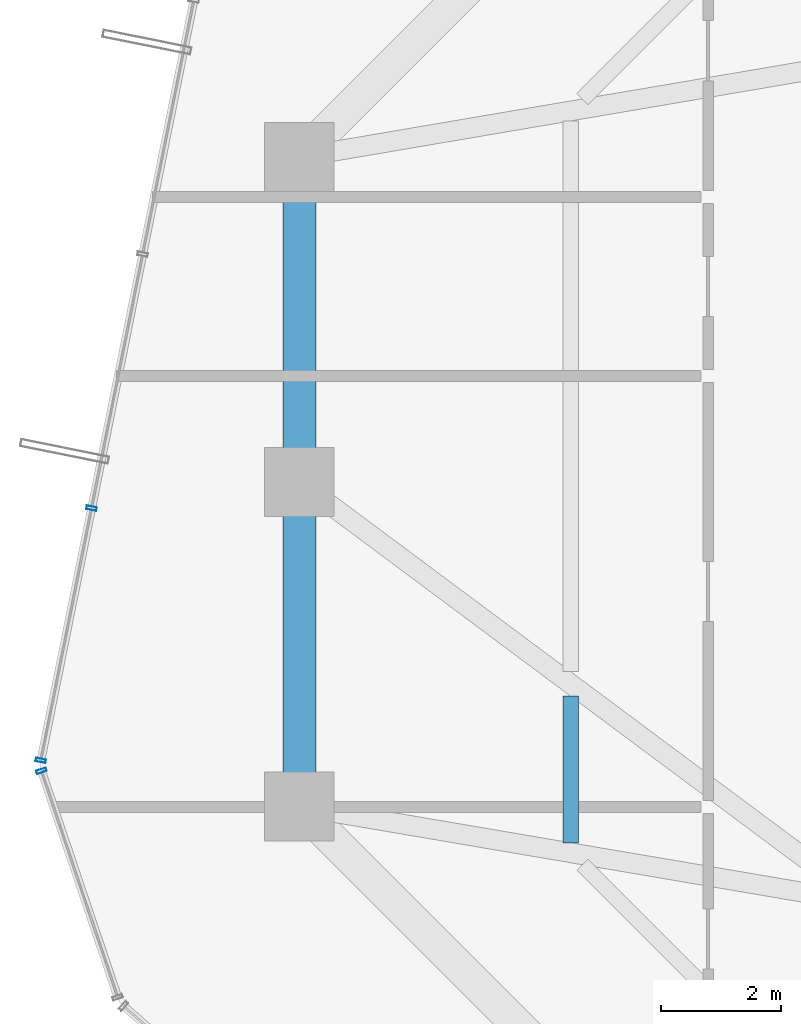
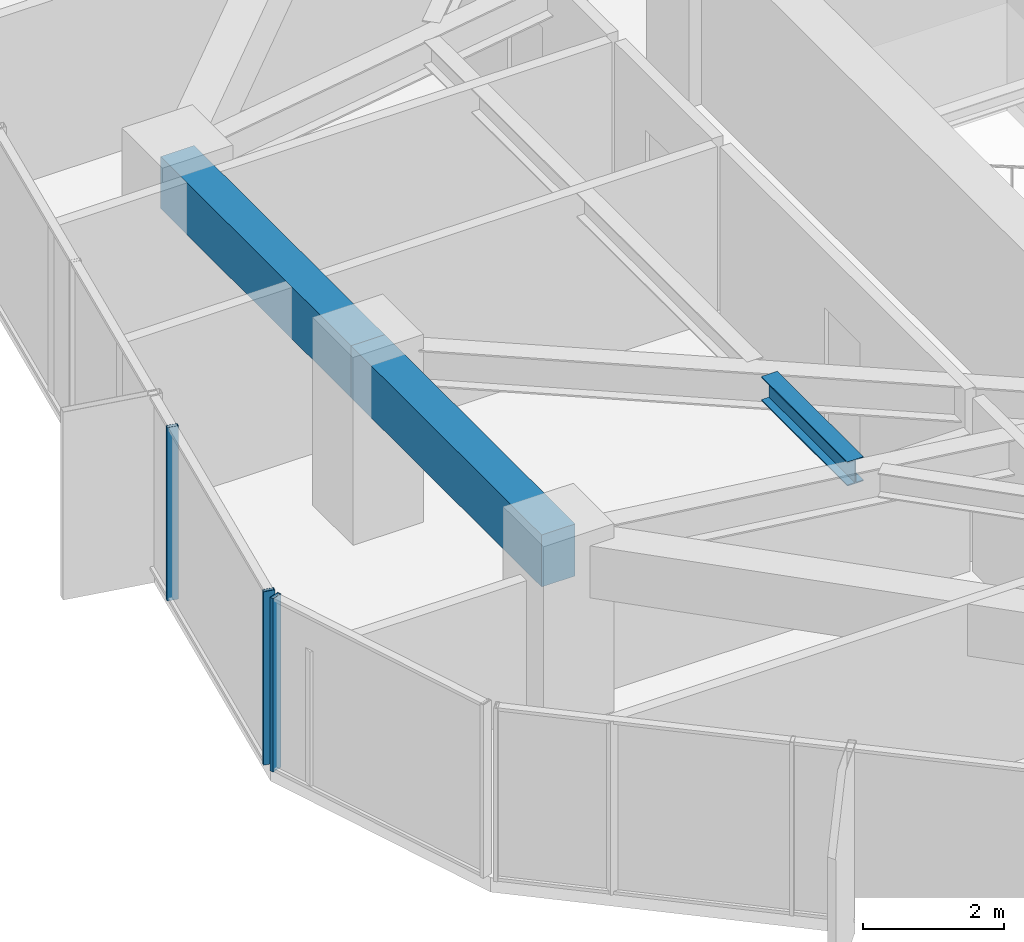
# One storey, part 11 of 32: 3 beams, 3 members, 2 elements without a shape of their own.
"""IFC4 building model written with IfcOpenShell, lengths in metres."""

from ifc_helpers import new_model, si_unit, direction, frame, origin, origin_2d, place, context, subcontext, project, spatial, rectangle, hollow_rectangle, i_section, extrude, source, transform, mapped, material, layer, layer_set, material_profile, profile_set, type_object, element, aggregate, save


model = new_model("IFC4")

# Units and contexts
model_context = context("Model", 3, precision=1e-05, world=origin(), true_north=direction((0.0, 1.0)))
body_context = subcontext(model_context, "Body", "Model", "MODEL_VIEW")
ifc_project = project(units=[si_unit("LENGTHUNIT", "METRE"), si_unit("AREAUNIT", "SQUARE_METRE"), si_unit("VOLUMEUNIT", "CUBIC_METRE"), si_unit("PLANEANGLEUNIT", "RADIAN"), si_unit("MASSUNIT", "GRAM", prefix="KILO")], contexts=[model_context])

# Site, building, storey
site_placement = place(None, origin())
site = spatial("IfcSite", under=ifc_project, at=site_placement, CompositionType="ELEMENT")
building_placement = place(site_placement, origin())
building = spatial("IfcBuilding", under=site, at=building_placement, Name="Veraguas Prism Commons", CompositionType="ELEMENT")
storey_placement = place(building_placement, frame((0.0, 0.0, 89.449951171875)))
storey = spatial("IfcBuildingStorey", under=building, at=storey_placement, Name="L24", CompositionType="ELEMENT", Elevation=89.449951171875)

# Beams
ifc_material_1 = material(Name="Steel ASTM A992 Grade 50", Category="steel")
ifc_material_profile_1 = material_profile(ifc_material_1, i_section(OverallWidth=0.260986328125, OverallDepth=0.419921875, WebThickness=0.01171875, FlangeThickness=0.019287109375, at=origin_2d()), Name="W410X114")
ifc_profile_set_1 = profile_set([ifc_material_profile_1], Name="Steel ASTM A992 Grade 50")
beam_type_1 = type_object("IfcBeamType", Name="Lower Floor Joist W410x114", PredefinedType="JOIST", material=ifc_profile_set_1)
beam_placement = place(storey_placement, frame((12.31201171875, 20.43798828125, 2.7900390625), z_axis=(0.0, -1.0, 0.0), x_axis=(1.0, 0.0, 0.0)))
element("IfcBeam", 1, at=beam_placement, inside=storey, type_object=beam_type_1, Name="Composite Floor Joist L24-JS08", PredefinedType="JOIST", context=body_context, shape_type="SweptSolid", body=[
    extrude(i_section(OverallWidth=0.260986328125, OverallDepth=0.419921875, WebThickness=0.01171875, FlangeThickness=0.019287109375, at=origin_2d()), origin(), (0.0, 0.0, 1.0), 2.441650390625),
])
ifc_material_2 = material(Name="Concrete C50/60", Category="concrete")
ifc_material_profile_2 = material_profile(ifc_material_2, rectangle(XDim=0.550048828125, YDim=0.89990234375, at=origin_2d()), Name="RC550X900")
ifc_profile_set_2 = profile_set([ifc_material_profile_2], Name="Concrete C50/60")
beam_type_2 = type_object("IfcBeamType", Name="Perimeter Spandrel Lower RC 550x900", PredefinedType="SPANDREL", material=ifc_profile_set_2)
for number, where, z_axis, x_axis, name in (
    (2, (7.800048828125, 29.39990234375, 2.550048828125), (0.0, -1.0, 0.0), (1.0, 0.0, 0.0), "Perimeter Spandrel Beam L24-SP07"),
    (3, (7.800048828125, 24.0, 2.550048828125), (0.0, -1.0, 0.0), (1.0, 0.0, 0.0), "Perimeter Spandrel Beam L24-SP08"),
):
    element("IfcBeam", number, at=place(storey_placement, frame(where, z_axis=z_axis, x_axis=x_axis)), inside=storey, type_object=beam_type_2, Name=name, PredefinedType="SPANDREL", context=body_context, shape_type="SweptSolid", body=[
        extrude(rectangle(XDim=0.550048828125, YDim=0.89990234375, at=origin_2d()), origin(), (0.0, 0.0, 1.0), 5.39990234375),
    ])

# Curtain wall, members
ifc_material_3 = material(Name="Anodised aluminium EN AW-6063 T6", Category="aluminium")
ifc_layer = layer(ifc_material_3, 0.169921875, Name="Unitised Flush Curtain Wall Zone 2", Category="aluminium")
ifc_layer_set = layer_set([ifc_layer], Name="Anodised aluminium EN AW-6063 T6")
curtain_wall_type = type_object("IfcCurtainWallType", Name="Unitised Flush Curtain Wall Zone 2", PredefinedType="NOTDEFINED", material=ifc_layer_set)
curtain_wall_1_placement = place(storey_placement, origin())
curtain_wall_1 = element("IfcCurtainWall", 4, at=curtain_wall_1_placement, inside=storey, type_object=curtain_wall_type, Name="Tower Facade Curtain Wall L24-F3", PredefinedType="NOTDEFINED")
ifc_material_profile_3 = material_profile(ifc_material_3, hollow_rectangle(XDim=0.06005859375, YDim=0.169921875, WallThickness=0.00390625, at=origin_2d()), Name="AL60X170X4")
ifc_profile_set_3 = profile_set([ifc_material_profile_3], Name="Anodised aluminium EN AW-6063 T6")
member_type = type_object("IfcMemberType", Name="Curtain Wall Mullion Lower AL 60x170x4", PredefinedType="MULLION", material=ifc_profile_set_3)
shared_shape = source(origin(), body_context, "Body", "SweptSolid", [
    extrude(hollow_rectangle(XDim=0.06005859375, YDim=0.169921875, WallThickness=0.00390625, at=origin_2d()), origin(), (0.0, 0.0, 1.0), 3.0),
])
member_1_placement = place(storey_placement, frame((4.344482421875, 23.56103515625, 0.0), z_axis=(0.0, 0.0, 1.0), x_axis=(-0.197320282199, -0.980339077173, 0.0)))
member_1 = element("IfcMember", 5, at=member_1_placement, type_object=member_type, Name="CW-Z2 Mullion 4", PredefinedType="MULLION", context=body_context, shape_type="MappedRepresentation", body=[
    mapped(shared_shape, transform((0.0, 0.0, 0.0), scale=1.0)),
])
member_2_placement = place(storey_placement, frame((3.500244140625, 19.36669921875, 0.0), z_axis=(0.0, 0.0, 1.0), x_axis=(-0.197320282199, -0.980339077173, 0.0)))
member_2 = element("IfcMember", 6, at=member_2_placement, type_object=member_type, Name="CW-Z2 Mullion 5", PredefinedType="MULLION", context=body_context, shape_type="MappedRepresentation", body=[
    mapped(shared_shape, transform((0.0, 0.0, 0.0), scale=1.0)),
])
aggregate(curtain_wall_1, [member_1, member_2])

# Curtain wall, member
curtain_wall_2_placement = place(storey_placement, origin())
curtain_wall_2 = element("IfcCurtainWall", 7, at=curtain_wall_2_placement, inside=storey, type_object=curtain_wall_type, Name="Chamfer Curtain Wall L24-C4", PredefinedType="NOTDEFINED")
member_3_placement = place(storey_placement, frame((3.51123046875, 19.193115234375, 0.0), z_axis=(0.0, 0.0, 1.0), x_axis=(0.319290123445, -0.947657014468, 0.0)))
member_3 = element("IfcMember", 8, at=member_3_placement, type_object=member_type, Name="CW-Z2 Mullion 1", PredefinedType="MULLION", context=body_context, shape_type="MappedRepresentation", body=[
    mapped(shared_shape, transform((0.0, 0.0, 0.0), scale=1.0)),
])
aggregate(curtain_wall_2, [member_3])

save(model, "model.ifc")
